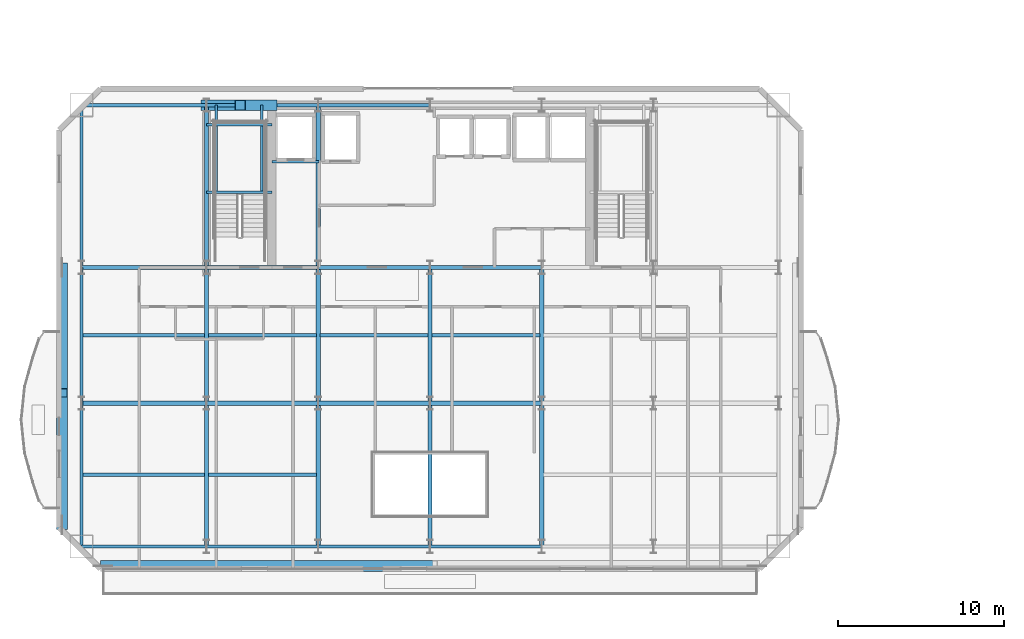
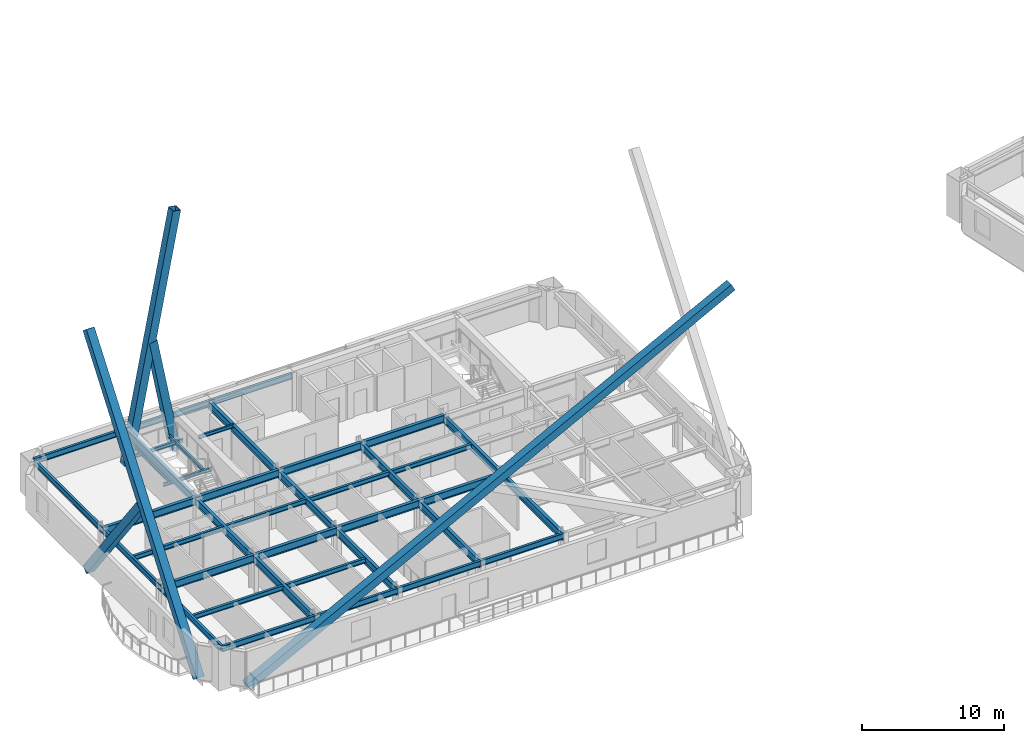
# One storey, part 3 of 22: 39 beams, 5 members.
"""IFC4 building model written with IfcOpenShell, lengths in metres."""

from ifc_helpers import new_model, si_unit, direction, frame, origin, origin_2d, place, context, subcontext, project, spatial, hollow_rectangle, i_section, extrude, material, material_profile, profile_set, type_object, element, save


model = new_model("IFC4")

# Units and contexts
model_context = context("Model", 3, precision=1e-05, world=origin(), true_north=direction((0.0, 1.0)))
body_context = subcontext(model_context, "Body", "Model", "MODEL_VIEW")
ifc_project = project(units=[si_unit("LENGTHUNIT", "METRE"), si_unit("AREAUNIT", "SQUARE_METRE"), si_unit("VOLUMEUNIT", "CUBIC_METRE"), si_unit("PLANEANGLEUNIT", "RADIAN"), si_unit("MASSUNIT", "GRAM", prefix="KILO")], contexts=[model_context])

# Site, building, storey
site_placement = place(None, origin())
site = spatial("IfcSite", under=ifc_project, at=site_placement, CompositionType="ELEMENT")
building_placement = place(site_placement, origin())
building = spatial("IfcBuilding", under=site, at=building_placement, Name="Haevon Station Towers", CompositionType="ELEMENT")
storey_placement = place(building_placement, frame((0.0, 0.0, 113.10009765625)))
storey = spatial("IfcBuildingStorey", under=building, at=storey_placement, Name="L30", CompositionType="ELEMENT", Elevation=113.10009765625)

# Beams
ifc_material_1 = material(Name="Steel S355", Category="steel")
ifc_material_profile_1 = material_profile(ifc_material_1, i_section(OverallWidth=0.25, OverallDepth=0.64990234375, WebThickness=0.012939453125, FlangeThickness=0.02197265625, at=origin_2d()), Name="H-650x250x13x22")
ifc_profile_set_1 = profile_set([ifc_material_profile_1], Name="Steel S355")
beam_type_1 = type_object("IfcBeamType", Name="BM-G650", PredefinedType="BEAM", material=ifc_profile_set_1)
beam_1_placement = place(storey_placement, frame((16.449951171875, 30.0, 2.724853515625), z_axis=(1.0, 0.0, 0.0), x_axis=(0.0, 1.0, 0.0)))
element("IfcBeam", 1, at=beam_1_placement, inside=storey, type_object=beam_type_1, Name="BM-T1U-L30-02-01", PredefinedType="BEAM", context=body_context, shape_type="SweptSolid", body=[
    extrude(i_section(OverallWidth=0.25, OverallDepth=0.64990234375, WebThickness=0.012939453125, FlangeThickness=0.02197265625, at=origin_2d()), origin(), (0.0, 0.0, 1.0), 7.550048828125),
])
for number, where, z_axis, x_axis, name in (
    (2, (24.0, 30.0, 2.724853515625), (1.0, 0.0, 0.0), (0.0, 1.0, 0.0), "BM-T1U-L30-02-02"),
    (3, (30.75, 30.0, 2.724853515625), (1.0, 0.0, 0.0), (0.0, 1.0, 0.0), "BM-T1U-L30-02-03"),
    (4, (37.5, 30.0, 2.724853515625), (1.0, 0.0, 0.0), (0.0, 1.0, 0.0), "BM-T1U-L30-02-04"),
):
    element("IfcBeam", number, at=place(storey_placement, frame(where, z_axis=z_axis, x_axis=x_axis)), inside=storey, type_object=beam_type_1, Name=name, PredefinedType="BEAM", context=body_context, shape_type="SweptSolid", body=[
        extrude(i_section(OverallWidth=0.25, OverallDepth=0.64990234375, WebThickness=0.012939453125, FlangeThickness=0.02197265625, at=origin_2d()), origin(), (0.0, 0.0, 1.0), 6.75),
    ])
beam_2_placement = place(storey_placement, frame((16.449951171875, 38.199951171875, 2.724853515625), z_axis=(1.0, 0.0, 0.0), x_axis=(0.0, 1.0, 0.0)))
element("IfcBeam", 5, at=beam_2_placement, inside=storey, type_object=beam_type_1, Name="BM-T1U-L30-03-01", PredefinedType="BEAM", context=body_context, shape_type="SweptSolid", body=[
    extrude(i_section(OverallWidth=0.25, OverallDepth=0.64990234375, WebThickness=0.012939453125, FlangeThickness=0.02197265625, at=origin_2d()), origin(), (0.0, 0.0, 1.0), 7.550048828125),
])
for number, where, z_axis, x_axis, name in (
    (6, (24.0, 38.199951171875, 2.724853515625), (1.0, 0.0, 0.0), (0.0, 1.0, 0.0), "BM-T1U-L30-03-02"),
    (7, (30.75, 38.199951171875, 2.724853515625), (1.0, 0.0, 0.0), (0.0, 1.0, 0.0), "BM-T1U-L30-03-03"),
    (8, (37.5, 38.199951171875, 2.724853515625), (1.0, 0.0, 0.0), (0.0, 1.0, 0.0), "BM-T1U-L30-03-04"),
):
    element("IfcBeam", number, at=place(storey_placement, frame(where, z_axis=z_axis, x_axis=x_axis)), inside=storey, type_object=beam_type_1, Name=name, PredefinedType="BEAM", context=body_context, shape_type="SweptSolid", body=[
        extrude(i_section(OverallWidth=0.25, OverallDepth=0.64990234375, WebThickness=0.012939453125, FlangeThickness=0.02197265625, at=origin_2d()), origin(), (0.0, 0.0, 1.0), 6.75),
    ])
beam_3_placement = place(storey_placement, frame((24.0, 21.35009765625, 2.724853515625), z_axis=(0.0, 1.0, 0.0), x_axis=(-1.0, 0.0, 0.0)))
element("IfcBeam", 9, at=beam_3_placement, inside=storey, type_object=beam_type_1, Name="BM-T1V-L30-02-01", PredefinedType="BEAM", context=body_context, shape_type="SweptSolid", body=[
    extrude(i_section(OverallWidth=0.25, OverallDepth=0.64990234375, WebThickness=0.012939453125, FlangeThickness=0.02197265625, at=origin_2d()), origin(), (0.0, 0.0, 1.0), 8.64990234375),
])
beam_4_placement = place(storey_placement, frame((24.0, 30.0, 2.724853515625), z_axis=(0.0, 1.0, 0.0), x_axis=(-1.0, 0.0, 0.0)))
element("IfcBeam", 10, at=beam_4_placement, inside=storey, type_object=beam_type_1, Name="BM-T1V-L30-02-02", PredefinedType="BEAM", context=body_context, shape_type="SweptSolid", body=[
    extrude(i_section(OverallWidth=0.25, OverallDepth=0.64990234375, WebThickness=0.012939453125, FlangeThickness=0.02197265625, at=origin_2d()), origin(), (0.0, 0.0, 1.0), 8.199951171875),
])
beam_5_placement = place(storey_placement, frame((24.0, 38.199951171875, 2.724853515625), z_axis=(0.0, 1.0, 0.0), x_axis=(-1.0, 0.0, 0.0)))
element("IfcBeam", 11, at=beam_5_placement, inside=storey, type_object=beam_type_1, Name="BM-T1V-L30-02-03", PredefinedType="BEAM", context=body_context, shape_type="SweptSolid", body=[
    extrude(i_section(OverallWidth=0.25, OverallDepth=0.64990234375, WebThickness=0.012939453125, FlangeThickness=0.02197265625, at=origin_2d()), origin(), (0.0, 0.0, 1.0), 9.800048828125),
])
beam_6_placement = place(storey_placement, frame((30.75, 21.35009765625, 2.724853515625), z_axis=(0.0, 1.0, 0.0), x_axis=(-1.0, 0.0, 0.0)))
element("IfcBeam", 12, at=beam_6_placement, inside=storey, type_object=beam_type_1, Name="BM-T1V-L30-03-01", PredefinedType="BEAM", context=body_context, shape_type="SweptSolid", body=[
    extrude(i_section(OverallWidth=0.25, OverallDepth=0.64990234375, WebThickness=0.012939453125, FlangeThickness=0.02197265625, at=origin_2d()), origin(), (0.0, 0.0, 1.0), 8.64990234375),
])
beam_7_placement = place(storey_placement, frame((30.75, 30.0, 2.724853515625), z_axis=(0.0, 1.0, 0.0), x_axis=(-1.0, 0.0, 0.0)))
element("IfcBeam", 13, at=beam_7_placement, inside=storey, type_object=beam_type_1, Name="BM-T1V-L30-03-02", PredefinedType="BEAM", context=body_context, shape_type="SweptSolid", body=[
    extrude(i_section(OverallWidth=0.25, OverallDepth=0.64990234375, WebThickness=0.012939453125, FlangeThickness=0.02197265625, at=origin_2d()), origin(), (0.0, 0.0, 1.0), 8.199951171875),
])
beam_8_placement = place(storey_placement, frame((30.75, 38.199951171875, 2.724853515625), z_axis=(0.0, 1.0, 0.0), x_axis=(-1.0, 0.0, 0.0)))
element("IfcBeam", 14, at=beam_8_placement, inside=storey, type_object=beam_type_1, Name="BM-T1V-L30-03-03", PredefinedType="BEAM", context=body_context, shape_type="SweptSolid", body=[
    extrude(i_section(OverallWidth=0.25, OverallDepth=0.64990234375, WebThickness=0.012939453125, FlangeThickness=0.02197265625, at=origin_2d()), origin(), (0.0, 0.0, 1.0), 9.800048828125),
])
beam_9_placement = place(storey_placement, frame((37.5, 21.35009765625, 2.724853515625), z_axis=(0.0, 1.0, 0.0), x_axis=(-1.0, 0.0, 0.0)))
element("IfcBeam", 15, at=beam_9_placement, inside=storey, type_object=beam_type_1, Name="BM-T1V-L30-04-01", PredefinedType="BEAM", context=body_context, shape_type="SweptSolid", body=[
    extrude(i_section(OverallWidth=0.25, OverallDepth=0.64990234375, WebThickness=0.012939453125, FlangeThickness=0.02197265625, at=origin_2d()), origin(), (0.0, 0.0, 1.0), 8.64990234375),
])
beam_10_placement = place(storey_placement, frame((37.5, 30.0, 2.724853515625), z_axis=(0.0, 1.0, 0.0), x_axis=(-1.0, 0.0, 0.0)))
element("IfcBeam", 16, at=beam_10_placement, inside=storey, type_object=beam_type_1, Name="BM-T1V-L30-04-02", PredefinedType="BEAM", context=body_context, shape_type="SweptSolid", body=[
    extrude(i_section(OverallWidth=0.25, OverallDepth=0.64990234375, WebThickness=0.012939453125, FlangeThickness=0.02197265625, at=origin_2d()), origin(), (0.0, 0.0, 1.0), 8.199951171875),
])
beam_11_placement = place(storey_placement, frame((44.25, 21.35009765625, 2.724853515625), z_axis=(0.0, 1.0, 0.0), x_axis=(-1.0, 0.0, 0.0)))
element("IfcBeam", 17, at=beam_11_placement, inside=storey, type_object=beam_type_1, Name="BM-T1V-L30-05-01", PredefinedType="BEAM", context=body_context, shape_type="SweptSolid", body=[
    extrude(i_section(OverallWidth=0.25, OverallDepth=0.64990234375, WebThickness=0.012939453125, FlangeThickness=0.02197265625, at=origin_2d()), origin(), (0.0, 0.0, 1.0), 8.64990234375),
])
beam_12_placement = place(storey_placement, frame((44.25, 30.0, 2.724853515625), z_axis=(0.0, 1.0, 0.0), x_axis=(-1.0, 0.0, 0.0)))
element("IfcBeam", 18, at=beam_12_placement, inside=storey, type_object=beam_type_1, Name="BM-T1V-L30-05-02", PredefinedType="BEAM", context=body_context, shape_type="SweptSolid", body=[
    extrude(i_section(OverallWidth=0.25, OverallDepth=0.64990234375, WebThickness=0.012939453125, FlangeThickness=0.02197265625, at=origin_2d()), origin(), (0.0, 0.0, 1.0), 8.199951171875),
])
ifc_material_profile_2 = material_profile(ifc_material_1, i_section(OverallWidth=0.199951171875, OverallDepth=0.39990234375, WebThickness=0.008056640625, FlangeThickness=0.012939453125, at=origin_2d()), Name="H-400x200x8x13")
ifc_profile_set_2 = profile_set([ifc_material_profile_2], Name="Steel S355")
beam_type_2 = type_object("IfcBeamType", Name="BM-J400", PredefinedType="JOIST", material=ifc_profile_set_2)
beam_13_placement = place(storey_placement, frame((16.56005859375, 25.675048828125, 2.849853515625), z_axis=(1.0, 0.0, 0.0), x_axis=(0.0, 1.0, 0.0)))
element("IfcBeam", 19, at=beam_13_placement, inside=storey, type_object=beam_type_2, Name="BM-T1J-L30-01-01", PredefinedType="JOIST", context=body_context, shape_type="SweptSolid", body=[
    extrude(i_section(OverallWidth=0.199951171875, OverallDepth=0.39990234375, WebThickness=0.008056640625, FlangeThickness=0.012939453125, at=origin_2d()), origin(), (0.0, 0.0, 1.0), 7.329833984375),
])
beam_14_placement = place(storey_placement, frame((24.110107421875, 25.675048828125, 2.849853515625), z_axis=(1.0, 0.0, 0.0), x_axis=(0.0, 1.0, 0.0)))
element("IfcBeam", 20, at=beam_14_placement, inside=storey, type_object=beam_type_2, Name="BM-T1J-L30-01-02", PredefinedType="JOIST", context=body_context, shape_type="SweptSolid", body=[
    extrude(i_section(OverallWidth=0.199951171875, OverallDepth=0.39990234375, WebThickness=0.008056640625, FlangeThickness=0.012939453125, at=origin_2d()), origin(), (0.0, 0.0, 1.0), 6.52978515625),
])
beam_15_placement = place(storey_placement, frame((16.56005859375, 34.10009765625, 2.849853515625), z_axis=(1.0, 0.0, 0.0), x_axis=(0.0, 1.0, 0.0)))
element("IfcBeam", 21, at=beam_15_placement, inside=storey, type_object=beam_type_2, Name="BM-T1J-L30-02-01", PredefinedType="JOIST", context=body_context, shape_type="SweptSolid", body=[
    extrude(i_section(OverallWidth=0.199951171875, OverallDepth=0.39990234375, WebThickness=0.008056640625, FlangeThickness=0.012939453125, at=origin_2d()), origin(), (0.0, 0.0, 1.0), 7.329833984375),
])
for number, where, z_axis, x_axis, name in (
    (22, (24.110107421875, 34.10009765625, 2.849853515625), (1.0, 0.0, 0.0), (0.0, 1.0, 0.0), "BM-T1J-L30-02-02"),
    (23, (30.860107421875, 34.10009765625, 2.849853515625), (1.0, 0.0, 0.0), (0.0, 1.0, 0.0), "BM-T1J-L30-02-03"),
    (24, (37.610107421875, 34.10009765625, 2.849853515625), (1.0, 0.0, 0.0), (0.0, 1.0, 0.0), "BM-T1J-L30-02-04"),
):
    element("IfcBeam", number, at=place(storey_placement, frame(where, z_axis=z_axis, x_axis=x_axis)), inside=storey, type_object=beam_type_2, Name=name, PredefinedType="JOIST", context=body_context, shape_type="SweptSolid", body=[
        extrude(i_section(OverallWidth=0.199951171875, OverallDepth=0.39990234375, WebThickness=0.008056640625, FlangeThickness=0.012939453125, at=origin_2d()), origin(), (0.0, 0.0, 1.0), 6.52978515625),
    ])
ifc_material_profile_3 = material_profile(ifc_material_1, i_section(OverallWidth=0.14990234375, OverallDepth=0.300048828125, WebThickness=0.006591796875, FlangeThickness=0.009033203125, at=origin_2d()), Name="H-300x150x6.5x9")
ifc_profile_set_3 = profile_set([ifc_material_profile_3], Name="Steel S355")
beam_type_3 = type_object("IfcBeamType", Name="BM-LIN300", PredefinedType="LINTEL", material=ifc_profile_set_3)
for number, where, z_axis, x_axis, name in (
    (25, (24.0, 42.743896484375, 1.2998046875), (1.0, 0.0, 0.0), (0.0, 1.0, 0.0), "BM-ST1L-L30-1-S"),
    (26, (24.0, 46.820068359375, 1.2998046875), (1.0, 0.0, 0.0), (0.0, 1.0, 0.0), "BM-ST1L-L30-1-N"),
):
    element("IfcBeam", number, at=place(storey_placement, frame(where, z_axis=z_axis, x_axis=x_axis)), inside=storey, type_object=beam_type_3, Name=name, PredefinedType="LINTEL", context=body_context, shape_type="SweptSolid", body=[
        extrude(i_section(OverallWidth=0.14990234375, OverallDepth=0.300048828125, WebThickness=0.006591796875, FlangeThickness=0.009033203125, at=origin_2d()), origin(), (0.0, 0.0, 1.0), 3.949951171875),
    ])
for number, where, z_axis, x_axis, name in (
    (27, (24.60009765625, 42.743896484375, 1.2998046875), (0.0, 1.0, 0.0), (-1.0, 0.0, 0.0), "BM-ST1L-L30-1-W"),
    (28, (27.35009765625, 42.743896484375, 1.2998046875), (0.0, 1.0, 0.0), (-1.0, 0.0, 0.0), "BM-ST1L-L30-1-E"),
):
    element("IfcBeam", number, at=place(storey_placement, frame(where, z_axis=z_axis, x_axis=x_axis)), inside=storey, type_object=beam_type_3, Name=name, PredefinedType="LINTEL", context=body_context, shape_type="SweptSolid", body=[
        extrude(i_section(OverallWidth=0.14990234375, OverallDepth=0.300048828125, WebThickness=0.006591796875, FlangeThickness=0.009033203125, at=origin_2d()), origin(), (0.0, 0.0, 1.0), 5.256103515625),
    ])
beam_16_placement = place(storey_placement, frame((27.949951171875, 44.60009765625, 2.89990234375), z_axis=(1.0, 0.0, 0.0), x_axis=(0.0, 1.0, 0.0)))
element("IfcBeam", 29, at=beam_16_placement, inside=storey, type_object=beam_type_3, Name="BM-T1LIN-L30", PredefinedType="LINTEL", context=body_context, shape_type="SweptSolid", body=[
    extrude(i_section(OverallWidth=0.14990234375, OverallDepth=0.300048828125, WebThickness=0.006591796875, FlangeThickness=0.009033203125, at=origin_2d()), origin(), (0.0, 0.0, 1.0), 2.85009765625),
])
ifc_material_profile_4 = material_profile(ifc_material_1, i_section(OverallWidth=0.199951171875, OverallDepth=0.5, WebThickness=0.010009765625, FlangeThickness=0.01611328125, at=origin_2d()), Name="H-500x200x10x16")
ifc_profile_set_4 = profile_set([ifc_material_profile_4], Name="Steel S355")
beam_type_4 = type_object("IfcBeamType", Name="BM-SP500", PredefinedType="SPANDREL", material=ifc_profile_set_4)
beam_17_placement = place(storey_placement, frame((16.449951171875, 21.35009765625, 2.7998046875), z_axis=(1.0, 0.0, 0.0), x_axis=(0.0, 1.0, 0.0)))
element("IfcBeam", 30, at=beam_17_placement, inside=storey, type_object=beam_type_4, Name="BM-T1U-L30-01-01", PredefinedType="SPANDREL", context=body_context, shape_type="SweptSolid", body=[
    extrude(i_section(OverallWidth=0.199951171875, OverallDepth=0.5, WebThickness=0.010009765625, FlangeThickness=0.01611328125, at=origin_2d()), origin(), (0.0, 0.0, 1.0), 7.550048828125),
])
for number, where, z_axis, x_axis, name in (
    (31, (24.0, 21.35009765625, 2.7998046875), (1.0, 0.0, 0.0), (0.0, 1.0, 0.0), "BM-T1U-L30-01-02"),
    (32, (30.75, 21.35009765625, 2.7998046875), (1.0, 0.0, 0.0), (0.0, 1.0, 0.0), "BM-T1U-L30-01-03"),
    (33, (37.5, 21.35009765625, 2.7998046875), (1.0, 0.0, 0.0), (0.0, 1.0, 0.0), "BM-T1U-L30-01-04"),
):
    element("IfcBeam", number, at=place(storey_placement, frame(where, z_axis=z_axis, x_axis=x_axis)), inside=storey, type_object=beam_type_4, Name=name, PredefinedType="SPANDREL", context=body_context, shape_type="SweptSolid", body=[
        extrude(i_section(OverallWidth=0.199951171875, OverallDepth=0.5, WebThickness=0.010009765625, FlangeThickness=0.01611328125, at=origin_2d()), origin(), (0.0, 0.0, 1.0), 6.75),
    ])
beam_18_placement = place(storey_placement, frame((16.449951171875, 48.0, 2.7998046875), z_axis=(1.0, 0.0, 0.0), x_axis=(0.0, 1.0, 0.0)))
element("IfcBeam", 34, at=beam_18_placement, inside=storey, type_object=beam_type_4, Name="BM-T1U-L30-04-01", PredefinedType="SPANDREL", context=body_context, shape_type="SweptSolid", body=[
    extrude(i_section(OverallWidth=0.199951171875, OverallDepth=0.5, WebThickness=0.010009765625, FlangeThickness=0.01611328125, at=origin_2d()), origin(), (0.0, 0.0, 1.0), 7.550048828125),
])
for number, where, z_axis, x_axis, name in (
    (35, (24.0, 48.0, 2.7998046875), (1.0, 0.0, 0.0), (0.0, 1.0, 0.0), "BM-T1U-L30-04-02"),
    (36, (30.75, 48.0, 2.7998046875), (1.0, 0.0, 0.0), (0.0, 1.0, 0.0), "BM-T1U-L30-04-03"),
):
    element("IfcBeam", number, at=place(storey_placement, frame(where, z_axis=z_axis, x_axis=x_axis)), inside=storey, type_object=beam_type_4, Name=name, PredefinedType="SPANDREL", context=body_context, shape_type="SweptSolid", body=[
        extrude(i_section(OverallWidth=0.199951171875, OverallDepth=0.5, WebThickness=0.010009765625, FlangeThickness=0.01611328125, at=origin_2d()), origin(), (0.0, 0.0, 1.0), 6.75),
    ])
beam_19_placement = place(storey_placement, frame((16.449951171875, 21.35009765625, 2.7998046875), z_axis=(0.0, 1.0, 0.0), x_axis=(-1.0, 0.0, 0.0)))
element("IfcBeam", 37, at=beam_19_placement, inside=storey, type_object=beam_type_4, Name="BM-T1V-L30-01-01", PredefinedType="SPANDREL", context=body_context, shape_type="SweptSolid", body=[
    extrude(i_section(OverallWidth=0.199951171875, OverallDepth=0.5, WebThickness=0.010009765625, FlangeThickness=0.01611328125, at=origin_2d()), origin(), (0.0, 0.0, 1.0), 8.64990234375),
])
beam_20_placement = place(storey_placement, frame((16.449951171875, 30.0, 2.7998046875), z_axis=(0.0, 1.0, 0.0), x_axis=(-1.0, 0.0, 0.0)))
element("IfcBeam", 38, at=beam_20_placement, inside=storey, type_object=beam_type_4, Name="BM-T1V-L30-01-02", PredefinedType="SPANDREL", context=body_context, shape_type="SweptSolid", body=[
    extrude(i_section(OverallWidth=0.199951171875, OverallDepth=0.5, WebThickness=0.010009765625, FlangeThickness=0.01611328125, at=origin_2d()), origin(), (0.0, 0.0, 1.0), 8.199951171875),
])
beam_21_placement = place(storey_placement, frame((16.449951171875, 38.199951171875, 2.7998046875), z_axis=(0.0, 1.0, 0.0), x_axis=(-1.0, 0.0, 0.0)))
element("IfcBeam", 39, at=beam_21_placement, inside=storey, type_object=beam_type_4, Name="BM-T1V-L30-01-03", PredefinedType="SPANDREL", context=body_context, shape_type="SweptSolid", body=[
    extrude(i_section(OverallWidth=0.199951171875, OverallDepth=0.5, WebThickness=0.010009765625, FlangeThickness=0.01611328125, at=origin_2d()), origin(), (0.0, 0.0, 1.0), 9.800048828125),
])

# Members
ifc_material_2 = material(Name="Steel S460", Category="steel")
ifc_material_profile_5 = material_profile(ifc_material_2, hollow_rectangle(XDim=0.64990234375, YDim=0.64990234375, WallThickness=0.031982421875, at=origin_2d()), Name="RHS-650x650x32")
ifc_profile_set_5 = profile_set([ifc_material_profile_5], Name="Steel S460")
member_type = type_object("IfcMemberType", Name="MB-650", PredefinedType="BRACE", material=ifc_profile_set_5)
member_1_placement = place(storey_placement, frame((17.75, 20.179931640625, -0.1201171875), z_axis=(0.886020968545, 0.0, 0.463645169606), x_axis=(0.0, 1.0, 0.0)))
element("IfcMember", 40, at=member_1_placement, inside=storey, type_object=member_type, Name="BR-T1MB-T04-S-D1", PredefinedType="BRACE", context=body_context, shape_type="SweptSolid", body=[
    extrude(hollow_rectangle(XDim=0.64990234375, YDim=0.64990234375, WallThickness=0.031982421875, at=origin_2d()), origin(), (0.0, 0.0, 1.0), 44.581298828125),
])
member_2_placement = place(storey_placement, frame((24.0, 48.0, -0.1201171875), z_axis=(0.187700093451, 0.0, 0.982226386796), x_axis=(0.0, 1.0, 0.0)))
element("IfcMember", 41, at=member_2_placement, inside=storey, type_object=member_type, Name="BR-T1MB-T04-N-D1", PredefinedType="BRACE", context=body_context, shape_type="SweptSolid", body=[
    extrude(hollow_rectangle(XDim=0.64990234375, YDim=0.64990234375, WallThickness=0.031982421875, at=origin_2d()), origin(), (0.0, 0.0, 1.0), 21.0439453125),
])
member_3_placement = place(storey_placement, frame((27.949951171875, 48.0, -0.1201171875), z_axis=(-0.187691466156, 0.0, 0.982228035403), x_axis=(0.0, -1.0, 0.0)))
element("IfcMember", 42, at=member_3_placement, inside=storey, type_object=member_type, Name="BR-T1MB-T04-N-D2A", PredefinedType="BRACE", context=body_context, shape_type="SweptSolid", body=[
    extrude(hollow_rectangle(XDim=0.64990234375, YDim=0.64990234375, WallThickness=0.031982421875, at=origin_2d()), origin(), (0.0, 0.0, 1.0), 10.184814453125),
])
member_4_placement = place(storey_placement, frame((15.280029296875, 22.64990234375, -0.1201171875), z_axis=(0.0, 0.60117729577, 0.799115673136), x_axis=(-1.0, 0.0, 0.0)))
element("IfcMember", 43, at=member_4_placement, inside=storey, type_object=member_type, Name="BR-T1MB-T04-W-D1", PredefinedType="BRACE", context=body_context, shape_type="SweptSolid", body=[
    extrude(hollow_rectangle(XDim=0.64990234375, YDim=0.64990234375, WallThickness=0.031982421875, at=origin_2d()), origin(), (0.0, 0.0, 1.0), 25.865966796875),
])
member_5_placement = place(storey_placement, frame((15.280029296875, 38.199951171875, -0.1201171875), z_axis=(0.0, -0.601168513393, 0.799122280071), x_axis=(1.0, 0.0, 0.0)))
element("IfcMember", 44, at=member_5_placement, inside=storey, type_object=member_type, Name="BR-T1MB-T04-W-D2A", PredefinedType="BRACE", context=body_context, shape_type="SweptSolid", body=[
    extrude(hollow_rectangle(XDim=0.64990234375, YDim=0.64990234375, WallThickness=0.031982421875, at=origin_2d()), origin(), (0.0, 0.0, 1.0), 12.595947265625),
])

save(model, "model.ifc")
